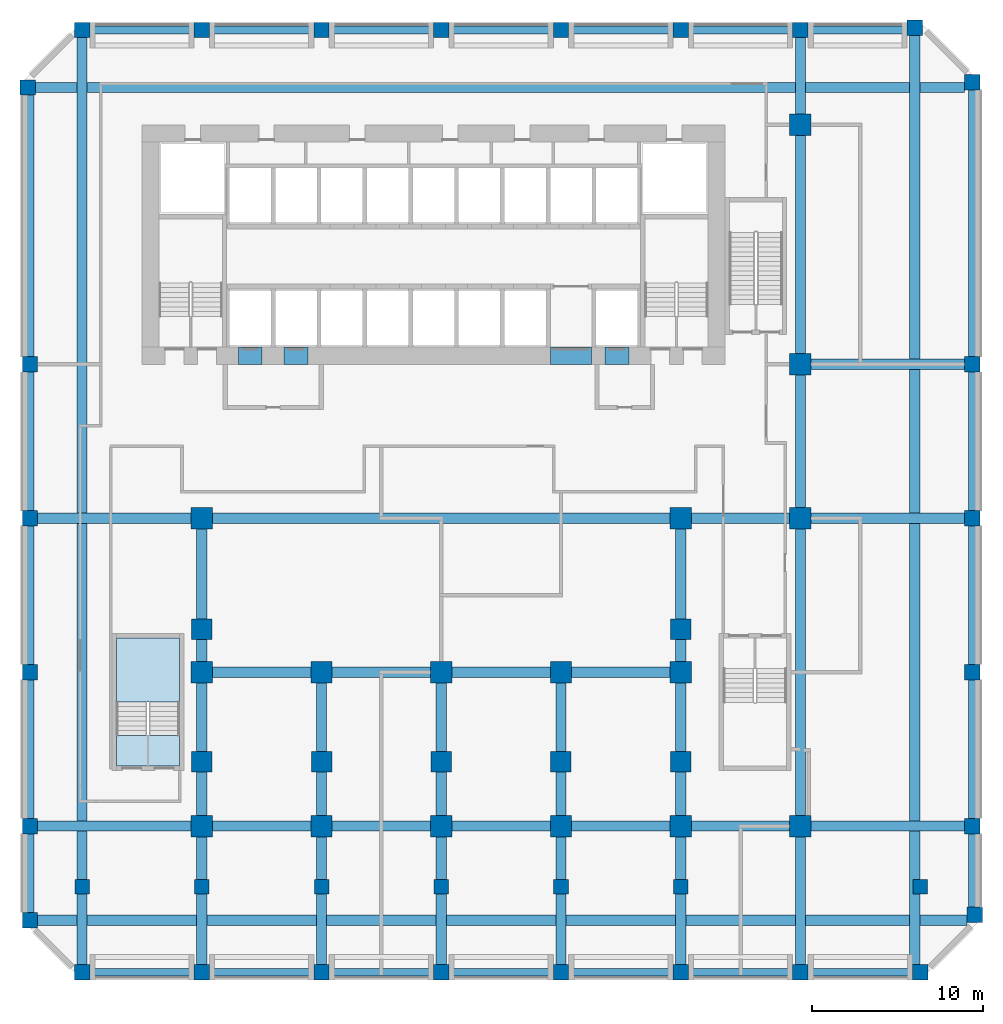
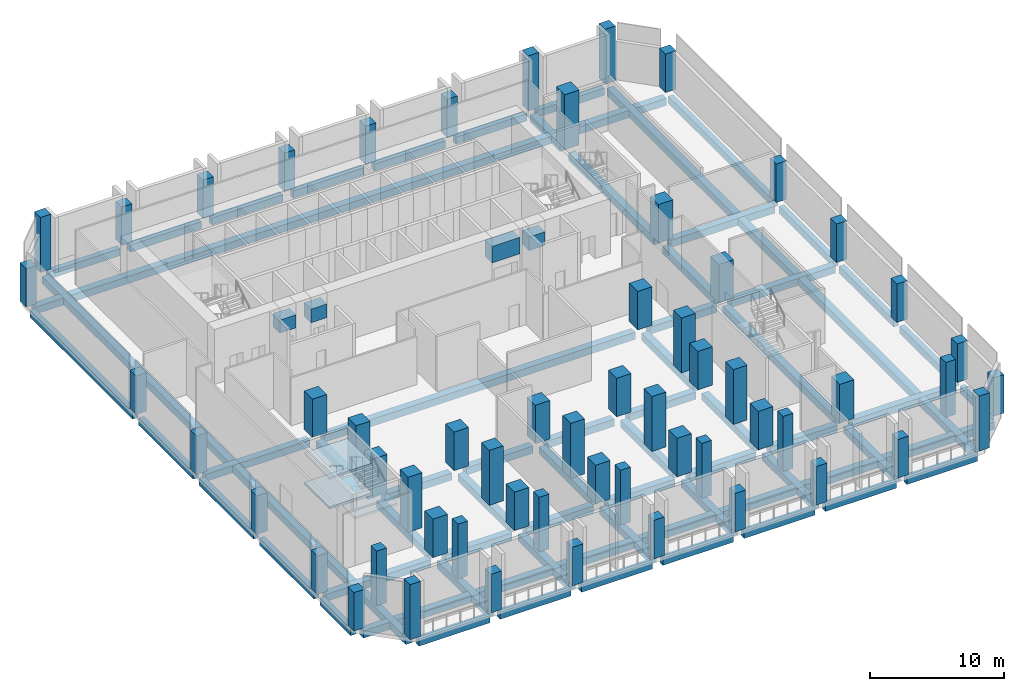
# One storey, part 1 of 10: 65 beams, 58 columns, 3 slabs, 1 element without a shape of its own.
"""IFC4 building model written with IfcOpenShell, lengths in metres."""

from ifc_helpers import new_model, si_unit, direction, frame, origin, origin_2d, place, context, subcontext, project, spatial, polyline, rectangle, outline, extrude, source, transform, mapped, material, layer, layer_set, material_profile, profile_set, type_object, element, aggregate, save


model = new_model("IFC4")

# Units and contexts
model_context = context("Model", 3, precision=1e-05, world=origin(), true_north=direction((0.0, 1.0)))
body_context = subcontext(model_context, "Body", "Model", "MODEL_VIEW")
ifc_project = project(units=[si_unit("LENGTHUNIT", "METRE"), si_unit("AREAUNIT", "SQUARE_METRE"), si_unit("VOLUMEUNIT", "CUBIC_METRE"), si_unit("PLANEANGLEUNIT", "RADIAN"), si_unit("MASSUNIT", "GRAM", prefix="KILO")], contexts=[model_context])

# Site, building, storey
site_placement = place(None, origin())
site = spatial("IfcSite", under=ifc_project, at=site_placement, CompositionType="ELEMENT")
building_placement = place(site_placement, origin())
building = spatial("IfcBuilding", under=site, at=building_placement, Name="Kilnfold Tower and Market Hall", CompositionType="ELEMENT")
storey_placement = place(building_placement, frame((0.0, 0.0, 95.199951171875)))
storey = spatial("IfcBuildingStorey", under=building, at=storey_placement, Name="L22 Refuge Transfer Level", CompositionType="ELEMENT", Elevation=95.199951171875)

# Columns
ifc_material_1 = material(Name="Concrete C80", Category="concrete")
ifc_material_profile_1 = material_profile(ifc_material_1, rectangle(XDim=0.89990234375, YDim=0.89990234375, at=origin_2d()), Name="RC 900x900")
ifc_profile_set_1 = profile_set([ifc_material_profile_1], Name="Concrete C80")
column_type_1 = type_object("IfcColumnType", Name="COLUMN 900X900 C80", PredefinedType="COLUMN", material=ifc_profile_set_1)
shared_shape_1 = source(origin(), body_context, "Body", "SweptSolid", [
    extrude(rectangle(XDim=0.89990234375, YDim=0.89990234375, at=origin_2d()), origin(), (0.0, 0.0, 1.0), 3.5),
])
for number, where, z_axis, x_axis, name in (
    (1, (-22.681884765625, 24.181884765625, 0.0), (0.0, 0.0, 1.0), (1.0, 0.0, 0.0), "Column C-B2-1H"),
    (2, (-22.550048828125, -24.5, 0.0), (0.0, 0.0, 1.0), (1.0, 0.0, 0.0), "Column C-B2-1B"),
    (3, (-22.550048828125, -19.0, 0.0), (0.0, 0.0, 1.0), (1.0, 0.0, 0.0), "Column C-B2-1C"),
    (4, (-22.550048828125, -10.0, 0.0), (0.0, 0.0, 1.0), (1.0, 0.0, 0.0), "Column C-B2-1D"),
    (5, (-22.550048828125, -1.0, 0.0), (0.0, 0.0, 1.0), (1.0, 0.0, 0.0), "Column C-B2-1E"),
    (6, (-22.550048828125, 8.0, 0.0), (0.0, 0.0, 1.0), (1.0, 0.0, 0.0), "Column C-B2-1F"),
    (7, (-12.5, -27.550048828125, 0.0), (0.0, 0.0, 1.0), (1.0, 0.0, 0.0), "Column C-B2-3A"),
    (8, (-12.5, 27.550048828125, 0.0), (0.0, 0.0, 1.0), (1.0, 0.0, 0.0), "Column C-B2-3I"),
    (9, (-5.5, -27.550048828125, 0.0), (0.0, 0.0, 1.0), (1.0, 0.0, 0.0), "Column C-B2-4A"),
    (10, (-5.5, 27.550048828125, 0.0), (0.0, 0.0, 1.0), (1.0, 0.0, 0.0), "Column C-B2-4I"),
    (11, (1.5, -27.550048828125, 0.0), (0.0, 0.0, 1.0), (1.0, 0.0, 0.0), "Column C-B2-5A"),
    (12, (1.5, 27.550048828125, 0.0), (0.0, 0.0, 1.0), (1.0, 0.0, 0.0), "Column C-B2-5I"),
    (13, (8.5, -27.550048828125, 0.0), (0.0, 0.0, 1.0), (1.0, 0.0, 0.0), "Column C-B2-6A"),
    (14, (8.5, 27.550048828125, 0.0), (0.0, 0.0, 1.0), (1.0, 0.0, 0.0), "Column C-B2-6I"),
    (15, (15.5, -27.550048828125, 0.0), (0.0, 0.0, 1.0), (1.0, 0.0, 0.0), "Column C-B2-7A"),
    (16, (15.5, 27.550048828125, 0.0), (0.0, 0.0, 1.0), (1.0, 0.0, 0.0), "Column C-B2-7I"),
    (17, (22.5, -27.550048828125, 0.0), (0.0, 0.0, 1.0), (1.0, 0.0, 0.0), "Column C-B2-8A"),
    (18, (32.550048828125, -19.0, 0.0), (0.0, 0.0, 1.0), (1.0, 0.0, 0.0), "Column C-B2-10C"),
    (19, (32.550048828125, -10.0, 0.0), (0.0, 0.0, 1.0), (1.0, 0.0, 0.0), "Column C-B2-10D"),
    (20, (32.550048828125, -1.0, 0.0), (0.0, 0.0, 1.0), (1.0, 0.0, 0.0), "Column C-B2-10E"),
    (21, (32.550048828125, 8.0, 0.0), (0.0, 0.0, 1.0), (1.0, 0.0, 0.0), "Column C-B2-10F"),
    (22, (32.550048828125, 24.5, 0.0), (0.0, 0.0, 1.0), (1.0, 0.0, 0.0), "Column C-B2-10H"),
    (23, (32.681884765625, -24.181884765625, 0.0), (0.0, 0.0, 1.0), (1.0, 0.0, 0.0), "Column C-B2-10B"),
):
    element("IfcColumn", number, at=place(storey_placement, frame(where, z_axis=z_axis, x_axis=x_axis)), inside=storey, type_object=column_type_1, Name=name, PredefinedType="COLUMN", context=body_context, shape_type="MappedRepresentation", body=[
        mapped(shared_shape_1, transform((0.0, 0.0, 0.0))),
    ])
shared_shape_2 = source(origin(), body_context, "Body", "SweptSolid", [
    extrude(rectangle(XDim=0.89990234375, YDim=0.89990234375, at=origin_2d()), origin(), (0.0, 0.0, 1.0), 5.0),
])
for number, where, z_axis, x_axis, name in (
    (24, (-19.5, -27.550048828125, 0.0), (0.0, 0.0, 1.0), (1.0, 0.0, 0.0), "Column C-B2-2A"),
    (25, (-19.5, 27.550048828125, 0.0), (0.0, 0.0, 1.0), (1.0, 0.0, 0.0), "Column C-B2-2I"),
    (26, (22.5, 27.550048828125, 0.0), (0.0, 0.0, 1.0), (1.0, 0.0, 0.0), "Column C-B2-8I"),
    (27, (29.181884765625, 27.681884765625, 0.0), (0.0, 0.0, 1.0), (1.0, 0.0, 0.0), "Column C-B2-9I"),
    (28, (29.5, -27.550048828125, 0.0), (0.0, 0.0, 1.0), (1.0, 0.0, 0.0), "Column C-B2-9A"),
):
    element("IfcColumn", number, at=place(storey_placement, frame(where, z_axis=z_axis, x_axis=x_axis)), inside=storey, type_object=column_type_1, Name=name, PredefinedType="COLUMN", context=body_context, shape_type="MappedRepresentation", body=[
        mapped(shared_shape_2, transform((0.0, 0.0, 0.0))),
    ])
ifc_material_2 = material(Name="Concrete C80", Category="concrete")
ifc_material_profile_2 = material_profile(ifc_material_2, rectangle(XDim=1.25, YDim=1.25, at=origin_2d()), Name="RC 1250x1250")
ifc_profile_set_2 = profile_set([ifc_material_profile_2], Name="Concrete C80")
column_type_2 = type_object("IfcColumnType", Name="COLUMN 1250X1250 C80", PredefinedType="COLUMN", material=ifc_profile_set_2)
shared_shape_3 = source(origin(), body_context, "Body", "SweptSolid", [
    extrude(rectangle(XDim=1.25, YDim=1.25, at=origin_2d()), origin(), (0.0, 0.0, 1.0), 3.5),
])
for number, where, z_axis, x_axis, name in (
    (29, (-12.5, -19.0, 0.0), (0.0, 0.0, 1.0), (1.0, 0.0, 0.0), "Column C-B2-3C"),
    (30, (-12.5, -10.0, 0.0), (0.0, 0.0, 1.0), (1.0, 0.0, 0.0), "Column C-B2-3D"),
    (31, (-12.5, -1.0, 0.0), (0.0, 0.0, 1.0), (1.0, 0.0, 0.0), "Column C-B2-3E"),
    (32, (-5.5, -19.0, 0.0), (0.0, 0.0, 1.0), (1.0, 0.0, 0.0), "Column C-B2-4C"),
    (33, (-5.5, -10.0, 0.0), (0.0, 0.0, 1.0), (1.0, 0.0, 0.0), "Column C-B2-4D"),
    (34, (1.5, -19.0, 0.0), (0.0, 0.0, 1.0), (1.0, 0.0, 0.0), "Column C-B2-5C"),
    (35, (1.5, -10.0, 0.0), (0.0, 0.0, 1.0), (1.0, 0.0, 0.0), "Column C-B2-5D"),
    (36, (8.5, -19.0, 0.0), (0.0, 0.0, 1.0), (1.0, 0.0, 0.0), "Column C-B2-6C"),
    (37, (8.5, -10.0, 0.0), (0.0, 0.0, 1.0), (1.0, 0.0, 0.0), "Column C-B2-6D"),
    (38, (15.5, -19.0, 0.0), (0.0, 0.0, 1.0), (1.0, 0.0, 0.0), "Column C-B2-7C"),
    (39, (15.5, -10.0, 0.0), (0.0, 0.0, 1.0), (1.0, 0.0, 0.0), "Column C-B2-7D"),
    (40, (15.5, -1.0, 0.0), (0.0, 0.0, 1.0), (1.0, 0.0, 0.0), "Column C-B2-7E"),
    (41, (22.5, -19.0, 0.0), (0.0, 0.0, 1.0), (1.0, 0.0, 0.0), "Column C-B2-8C"),
    (42, (22.5, -1.0, 0.0), (0.0, 0.0, 1.0), (1.0, 0.0, 0.0), "Column C-B2-8E"),
    (43, (22.5, 8.0, 0.0), (0.0, 0.0, 1.0), (1.0, 0.0, 0.0), "Column C-B2-8F"),
):
    element("IfcColumn", number, at=place(storey_placement, frame(where, z_axis=z_axis, x_axis=x_axis)), inside=storey, type_object=column_type_2, Name=name, PredefinedType="COLUMN", context=body_context, shape_type="MappedRepresentation", body=[
        mapped(shared_shape_3, transform((0.0, 0.0, 0.0))),
    ])
shared_shape_4 = source(origin(), body_context, "Body", "SweptSolid", [
    extrude(rectangle(XDim=1.25, YDim=1.25, at=origin_2d()), origin(), (0.0, 0.0, 1.0), 5.0),
])
column_placement = place(storey_placement, frame((22.5, 22.0, 0.0), z_axis=(0.0, 0.0, 1.0), x_axis=(1.0, 0.0, 0.0)))
element("IfcColumn", 44, at=column_placement, inside=storey, type_object=column_type_2, Name="Column C-B2-8G", PredefinedType="COLUMN", context=body_context, shape_type="MappedRepresentation", body=[
    mapped(shared_shape_4, transform((0.0, 0.0, 0.0))),
])
ifc_material_3 = material(Name="Concrete C80", Category="concrete")
ifc_material_profile_3 = material_profile(ifc_material_3, rectangle(XDim=0.85009765625, YDim=0.85009765625, at=origin_2d()), Name="RC 850x850")
ifc_profile_set_3 = profile_set([ifc_material_profile_3], Name="Concrete C80")
column_type_3 = type_object("IfcColumnType", Name="COLUMN 850X850 C80", PredefinedType="COLUMN", material=ifc_profile_set_3)
shared_shape_5 = source(origin(), body_context, "Body", "SweptSolid", [
    extrude(rectangle(XDim=0.85009765625, YDim=0.85009765625, at=origin_2d()), origin(), (0.0, 0.0, 1.0), 5.0),
])
for number, where, z_axis, x_axis, name in (
    (45, (-19.5, -22.550048828125, 0.0), (0.0, 0.0, 1.0), (1.0, 0.0, 0.0), "Column C-B3-2A"),
    (46, (-12.5, -22.550048828125, 0.0), (0.0, 0.0, 1.0), (1.0, 0.0, 0.0), "Column C-B3-3A"),
    (47, (-5.5, -22.550048828125, 0.0), (0.0, 0.0, 1.0), (1.0, 0.0, 0.0), "Column C-B3-4A"),
    (48, (1.5, -22.550048828125, 0.0), (0.0, 0.0, 1.0), (1.0, 0.0, 0.0), "Column C-B3-5A"),
    (49, (8.5, -22.550048828125, 0.0), (0.0, 0.0, 1.0), (1.0, 0.0, 0.0), "Column C-B3-6A"),
    (50, (15.5, -22.550048828125, 0.0), (0.0, 0.0, 1.0), (1.0, 0.0, 0.0), "Column C-B3-7A"),
    (51, (29.5, -22.550048828125, 0.0), (0.0, 0.0, 1.0), (1.0, 0.0, 0.0), "Column C-B3-9A"),
):
    element("IfcColumn", number, at=place(storey_placement, frame(where, z_axis=z_axis, x_axis=x_axis)), inside=storey, type_object=column_type_3, Name=name, PredefinedType="COLUMN", context=body_context, shape_type="MappedRepresentation", body=[
        mapped(shared_shape_5, transform((0.0, 0.0, 0.0))),
    ])
ifc_material_4 = material(Name="Concrete C80", Category="concrete")
ifc_material_profile_4 = material_profile(ifc_material_4, rectangle(XDim=1.199951171875, YDim=1.199951171875, at=origin_2d()), Name="RC 1200x1200")
ifc_profile_set_4 = profile_set([ifc_material_profile_4], Name="Concrete C80")
column_type_4 = type_object("IfcColumnType", Name="COLUMN 1200X1200 C80", PredefinedType="COLUMN", material=ifc_profile_set_4)
shared_shape_6 = source(origin(), body_context, "Body", "SweptSolid", [
    extrude(rectangle(XDim=1.199951171875, YDim=1.199951171875, at=origin_2d()), origin(), (0.0, 0.0, 1.0), 5.0),
])
for number, where, z_axis, x_axis, name in (
    (52, (-12.5, -15.25, 0.0), (0.0, 0.0, 1.0), (1.0, 0.0, 0.0), "Column C-B3-3C"),
    (53, (-12.5, -7.5, 0.0), (0.0, 0.0, 1.0), (1.0, 0.0, 0.0), "Column C-B3-3D"),
    (54, (-5.5, -15.25, 0.0), (0.0, 0.0, 1.0), (1.0, 0.0, 0.0), "Column C-B3-4C"),
    (55, (1.5, -15.25, 0.0), (0.0, 0.0, 1.0), (1.0, 0.0, 0.0), "Column C-B3-5C"),
    (56, (8.5, -15.25, 0.0), (0.0, 0.0, 1.0), (1.0, 0.0, 0.0), "Column C-B3-6C"),
    (57, (15.5, -15.25, 0.0), (0.0, 0.0, 1.0), (1.0, 0.0, 0.0), "Column C-B3-7C"),
    (58, (15.5, -7.5, 0.0), (0.0, 0.0, 1.0), (1.0, 0.0, 0.0), "Column C-B3-7D"),
):
    element("IfcColumn", number, at=place(storey_placement, frame(where, z_axis=z_axis, x_axis=x_axis)), inside=storey, type_object=column_type_4, Name=name, PredefinedType="COLUMN", context=body_context, shape_type="MappedRepresentation", body=[
        mapped(shared_shape_6, transform((0.0, 0.0, 0.0))),
    ])

# Beams
ifc_material_5 = material(Name="Concrete C80", Category="concrete")
ifc_material_profile_5 = material_profile(ifc_material_5, rectangle(XDim=1.0, YDim=1.199951171875, at=origin_2d()), Name="RC 1000x1200")
ifc_profile_set_5 = profile_set([ifc_material_profile_5], Name="Concrete C80")
beam_type_1 = type_object("IfcBeamType", Name="COUPLING BEAM 1000X1200 C80", PredefinedType="BEAM", material=ifc_profile_set_5)
shared_shape_7 = source(origin(), body_context, "Body", "SweptSolid", [
    extrude(rectangle(XDim=1.0, YDim=1.199951171875, at=origin_2d()), origin(), (0.0, 0.0, 1.0), 1.400146484375),
])
beam_1_placement = place(storey_placement, frame((-10.3701171875, 8.5, 3.300048828125), z_axis=(1.0, 0.0, 0.0), x_axis=(0.0, 1.0, 0.0)))
element("IfcBeam", 59, at=beam_1_placement, inside=storey, type_object=beam_type_1, Name="Coupling beam CB1200-80-CORE.40", PredefinedType="BEAM", context=body_context, shape_type="MappedRepresentation", body=[
    mapped(shared_shape_7, transform((0.0, 0.0, 0.0))),
])
ifc_material_6 = material(Name="Concrete C80", Category="concrete")
ifc_material_profile_6 = material_profile(ifc_material_6, rectangle(XDim=1.0, YDim=1.25, at=origin_2d()), Name="RC 1000x1250")
ifc_profile_set_6 = profile_set([ifc_material_profile_6], Name="Concrete C80")
beam_type_2 = type_object("IfcBeamType", Name="COUPLING BEAM 1000X1250 C80", PredefinedType="BEAM", material=ifc_profile_set_6)
shared_shape_8 = source(origin(), body_context, "Body", "SweptSolid", [
    extrude(rectangle(XDim=1.0, YDim=1.25, at=origin_2d()), origin(), (0.0, 0.0, 1.0), 1.39990234375),
])
for number, where, z_axis, x_axis, name in (
    (60, (-7.68994140625, 8.5, 3.324951171875), (1.0, 0.0, 0.0), (0.0, 1.0, 0.0), "Coupling beam CB1250-80-CORE.42"),
    (61, (11.070068359375, 8.5, 3.324951171875), (1.0, 0.0, 0.0), (0.0, 1.0, 0.0), "Coupling beam CB1250-80-CORE.46"),
):
    element("IfcBeam", number, at=place(storey_placement, frame(where, z_axis=z_axis, x_axis=x_axis)), inside=storey, type_object=beam_type_2, Name=name, PredefinedType="BEAM", context=body_context, shape_type="MappedRepresentation", body=[
        mapped(shared_shape_8, transform((0.0, 0.0, 0.0))),
    ])
ifc_material_7 = material(Name="Concrete C80", Category="concrete")
ifc_material_profile_7 = material_profile(ifc_material_7, rectangle(XDim=1.0, YDim=1.5, at=origin_2d()), Name="RC 1000x1500")
ifc_profile_set_7 = profile_set([ifc_material_profile_7], Name="Concrete C80")
beam_type_3 = type_object("IfcBeamType", Name="COUPLING BEAM 1000X1500 C80", PredefinedType="BEAM", material=ifc_profile_set_7)
shared_shape_9 = source(origin(), body_context, "Body", "SweptSolid", [
    extrude(rectangle(XDim=1.0, YDim=1.5, at=origin_2d()), origin(), (0.0, 0.0, 1.0), 2.400146484375),
])
beam_2_placement = place(storey_placement, frame((7.889892578125, 8.5, 3.449951171875), z_axis=(1.0, 0.0, 0.0), x_axis=(0.0, 1.0, 0.0)))
element("IfcBeam", 62, at=beam_2_placement, inside=storey, type_object=beam_type_3, Name="Coupling beam CB1500-80-CORE.44", PredefinedType="BEAM", context=body_context, shape_type="MappedRepresentation", body=[
    mapped(shared_shape_9, transform((0.0, 0.0, 0.0))),
])
ifc_material_8 = material(Name="Concrete C45", Category="concrete")
ifc_material_profile_8 = material_profile(ifc_material_8, rectangle(XDim=0.449951171875, YDim=0.64990234375, at=origin_2d()), Name="RC 450x650")
ifc_profile_set_8 = profile_set([ifc_material_profile_8], Name="Concrete C45")
beam_type_4 = type_object("IfcBeamType", Name="EDGE BEAM 450X650 C45", PredefinedType="BEAM", material=ifc_profile_set_8)
shared_shape_10 = source(origin(), body_context, "Body", "SweptSolid", [
    extrude(rectangle(XDim=0.449951171875, YDim=0.64990234375, at=origin_2d()), origin(), (0.0, 0.0, 1.0), 6.10009765625),
])
for number, where, z_axis, x_axis, name in (
    (63, (-19.050048828125, -27.550048828125, -0.724853515625), (1.0, 0.0, 0.0), (0.0, 1.0, 0.0), "Beam EB650-B2.60"),
    (64, (-12.050048828125, -27.550048828125, -0.724853515625), (1.0, 0.0, 0.0), (0.0, 1.0, 0.0), "Beam EB650-B2.61"),
    (65, (-5.050048828125, -27.550048828125, -0.724853515625), (1.0, 0.0, 0.0), (0.0, 1.0, 0.0), "Beam EB650-B2.62"),
    (66, (1.949951171875, -27.550048828125, -0.724853515625), (1.0, 0.0, 0.0), (0.0, 1.0, 0.0), "Beam EB650-B2.63"),
    (67, (8.949951171875, -27.550048828125, -0.724853515625), (1.0, 0.0, 0.0), (0.0, 1.0, 0.0), "Beam EB650-B2.64"),
    (68, (15.949951171875, -27.550048828125, -0.724853515625), (1.0, 0.0, 0.0), (0.0, 1.0, 0.0), "Beam EB650-B2.65"),
    (69, (22.949951171875, -27.550048828125, -0.724853515625), (1.0, 0.0, 0.0), (0.0, 1.0, 0.0), "Beam EB650-B2.66"),
    (70, (-19.050048828125, 27.550048828125, -0.724853515625), (1.0, 0.0, 0.0), (0.0, 1.0, 0.0), "Beam EB650-B2.75"),
    (71, (-12.050048828125, 27.550048828125, -0.724853515625), (1.0, 0.0, 0.0), (0.0, 1.0, 0.0), "Beam EB650-B2.76"),
    (72, (-5.050048828125, 27.550048828125, -0.724853515625), (1.0, 0.0, 0.0), (0.0, 1.0, 0.0), "Beam EB650-B2.77"),
    (73, (1.949951171875, 27.550048828125, -0.724853515625), (1.0, 0.0, 0.0), (0.0, 1.0, 0.0), "Beam EB650-B2.78"),
    (74, (8.949951171875, 27.550048828125, -0.724853515625), (1.0, 0.0, 0.0), (0.0, 1.0, 0.0), "Beam EB650-B2.79"),
    (75, (15.949951171875, 27.550048828125, -0.724853515625), (1.0, 0.0, 0.0), (0.0, 1.0, 0.0), "Beam EB650-B2.80"),
):
    element("IfcBeam", number, at=place(storey_placement, frame(where, z_axis=z_axis, x_axis=x_axis)), inside=storey, type_object=beam_type_4, Name=name, PredefinedType="BEAM", context=body_context, shape_type="MappedRepresentation", body=[
        mapped(shared_shape_10, transform((0.0, 0.0, 0.0))),
    ])
ifc_material_9 = material(Name="Concrete C45", Category="concrete")
ifc_material_profile_9 = material_profile(ifc_material_9, rectangle(XDim=0.60009765625, YDim=0.64990234375, at=origin_2d()), Name="RC 600x650")
ifc_profile_set_9 = profile_set([ifc_material_profile_9], Name="Concrete C45")
beam_type_5 = type_object("IfcBeamType", Name="BEAM 600X650 C45", PredefinedType="BEAM", material=ifc_profile_set_9)
shared_shape_11 = source(origin(), body_context, "Body", "SweptSolid", [
    extrude(rectangle(XDim=0.60009765625, YDim=0.64990234375, at=origin_2d()), origin(), (0.0, 0.0, 1.0), 54.331787109375),
])
for number, where, z_axis, x_axis, name in (
    (76, (-22.10009765625, -24.5, -0.724853515625), (1.0, 0.0, 0.0), (0.0, 1.0, 0.0), "Beam BB650-B2.67"),
    (77, (-22.231689453125, 24.179931640625, -0.724853515625), (1.0, 0.0, 0.0), (0.0, 1.0, 0.0), "Beam BB650-B2.74"),
    (78, (29.179931640625, -27.10009765625, -0.724853515625), (0.0, 1.0, 0.0), (-1.0, 0.0, 0.0), "Beam BB650-B2.98"),
):
    element("IfcBeam", number, at=place(storey_placement, frame(where, z_axis=z_axis, x_axis=x_axis)), inside=storey, type_object=beam_type_5, Name=name, PredefinedType="BEAM", context=body_context, shape_type="MappedRepresentation", body=[
        mapped(shared_shape_11, transform((0.0, 0.0, 0.0))),
    ])
shared_shape_12 = source(origin(), body_context, "Body", "SweptSolid", [
    extrude(rectangle(XDim=0.449951171875, YDim=0.64990234375, at=origin_2d()), origin(), (0.0, 0.0, 1.0), 5.78173828125),
])
beam_3_placement = place(storey_placement, frame((22.949951171875, 27.550048828125, -0.724853515625), z_axis=(1.0, 0.0, 0.0), x_axis=(0.0, 1.0, 0.0)))
element("IfcBeam", 79, at=beam_3_placement, inside=storey, type_object=beam_type_4, Name="Beam EB650-B2.81", PredefinedType="BEAM", context=body_context, shape_type="MappedRepresentation", body=[
    mapped(shared_shape_12, transform((0.0, 0.0, 0.0))),
])
shared_shape_13 = source(origin(), body_context, "Body", "SweptSolid", [
    extrude(rectangle(XDim=0.449951171875, YDim=0.64990234375, at=origin_2d()), origin(), (0.0, 0.0, 1.0), 4.60009765625),
])
beam_4_placement = place(storey_placement, frame((-22.550048828125, -24.050048828125, -0.724853515625), z_axis=(0.0, 1.0, 0.0), x_axis=(-1.0, 0.0, 0.0)))
element("IfcBeam", 80, at=beam_4_placement, inside=storey, type_object=beam_type_4, Name="Beam EB650-B2.37", PredefinedType="BEAM", context=body_context, shape_type="MappedRepresentation", body=[
    mapped(shared_shape_13, transform((0.0, 0.0, 0.0))),
])
shared_shape_14 = source(origin(), body_context, "Body", "SweptSolid", [
    extrude(rectangle(XDim=0.449951171875, YDim=0.64990234375, at=origin_2d()), origin(), (0.0, 0.0, 1.0), 8.10009765625),
])
for number, where, z_axis, x_axis, name in (
    (81, (-22.550048828125, -18.550048828125, -0.724853515625), (0.0, 1.0, 0.0), (-1.0, 0.0, 0.0), "Beam EB650-B2.38"),
    (82, (-22.550048828125, -9.550048828125, -0.724853515625), (0.0, 1.0, 0.0), (-1.0, 0.0, 0.0), "Beam EB650-B2.39"),
    (83, (-22.550048828125, -0.550048828125, -0.724853515625), (0.0, 1.0, 0.0), (-1.0, 0.0, 0.0), "Beam EB650-B2.40"),
    (84, (32.550048828125, -18.550048828125, -0.724853515625), (0.0, 1.0, 0.0), (-1.0, 0.0, 0.0), "Beam EB650-B2.100"),
    (85, (32.550048828125, -9.550048828125, -0.724853515625), (0.0, 1.0, 0.0), (-1.0, 0.0, 0.0), "Beam EB650-B2.101"),
    (86, (32.550048828125, -0.550048828125, -0.724853515625), (0.0, 1.0, 0.0), (-1.0, 0.0, 0.0), "Beam EB650-B2.102"),
):
    element("IfcBeam", number, at=place(storey_placement, frame(where, z_axis=z_axis, x_axis=x_axis)), inside=storey, type_object=beam_type_4, Name=name, PredefinedType="BEAM", context=body_context, shape_type="MappedRepresentation", body=[
        mapped(shared_shape_14, transform((0.0, 0.0, 0.0))),
    ])
shared_shape_15 = source(origin(), body_context, "Body", "SweptSolid", [
    extrude(rectangle(XDim=0.449951171875, YDim=0.64990234375, at=origin_2d()), origin(), (0.0, 0.0, 1.0), 15.28173828125),
])
beam_5_placement = place(storey_placement, frame((-22.550048828125, 8.449951171875, -0.724853515625), z_axis=(0.0, 1.0, 0.0), x_axis=(-1.0, 0.0, 0.0)))
element("IfcBeam", 87, at=beam_5_placement, inside=storey, type_object=beam_type_4, Name="Beam EB650-B2.41", PredefinedType="BEAM", context=body_context, shape_type="MappedRepresentation", body=[
    mapped(shared_shape_15, transform((0.0, 0.0, 0.0))),
])
shared_shape_16 = source(origin(), body_context, "Body", "SweptSolid", [
    extrude(rectangle(XDim=0.60009765625, YDim=0.64990234375, at=origin_2d()), origin(), (0.0, 0.0, 1.0), 54.2001953125),
])
beam_6_placement = place(storey_placement, frame((-19.5, -27.10009765625, -0.724853515625), z_axis=(0.0, 1.0, 0.0), x_axis=(-1.0, 0.0, 0.0)))
element("IfcBeam", 88, at=beam_6_placement, inside=storey, type_object=beam_type_5, Name="Beam BB650-B2.42", PredefinedType="BEAM", context=body_context, shape_type="MappedRepresentation", body=[
    mapped(shared_shape_16, transform((0.0, 0.0, 0.0))),
])
shared_shape_17 = source(origin(), body_context, "Body", "SweptSolid", [
    extrude(rectangle(XDim=0.449951171875, YDim=0.64990234375, at=origin_2d()), origin(), (0.0, 0.0, 1.0), 4.28173828125),
])
beam_7_placement = place(storey_placement, frame((32.550048828125, -23.731689453125, -0.724853515625), z_axis=(0.0, 1.0, 0.0), x_axis=(-1.0, 0.0, 0.0)))
element("IfcBeam", 89, at=beam_7_placement, inside=storey, type_object=beam_type_4, Name="Beam EB650-B2.99", PredefinedType="BEAM", context=body_context, shape_type="MappedRepresentation", body=[
    mapped(shared_shape_17, transform((0.0, 0.0, 0.0))),
])
shared_shape_18 = source(origin(), body_context, "Body", "SweptSolid", [
    extrude(rectangle(XDim=0.449951171875, YDim=0.64990234375, at=origin_2d()), origin(), (0.0, 0.0, 1.0), 15.60009765625),
])
beam_8_placement = place(storey_placement, frame((32.550048828125, 8.449951171875, -0.724853515625), z_axis=(0.0, 1.0, 0.0), x_axis=(-1.0, 0.0, 0.0)))
element("IfcBeam", 90, at=beam_8_placement, inside=storey, type_object=beam_type_4, Name="Beam EB650-B2.103", PredefinedType="BEAM", context=body_context, shape_type="MappedRepresentation", body=[
    mapped(shared_shape_18, transform((0.0, 0.0, 0.0))),
])
shared_shape_19 = source(origin(), body_context, "Body", "SweptSolid", [
    extrude(rectangle(XDim=0.60009765625, YDim=0.64990234375, at=origin_2d()), origin(), (0.0, 0.0, 1.0), 8.97509765625),
])
for number, where, z_axis, x_axis, name in (
    (91, (-22.10009765625, -19.0, -0.724853515625), (1.0, 0.0, 0.0), (0.0, 1.0, 0.0), "Beam BB650-B2.68"),
    (92, (23.125, -19.0, -0.724853515625), (1.0, 0.0, 0.0), (0.0, 1.0, 0.0), "Beam BB650-B2.69"),
    (93, (-22.10009765625, -1.0, -0.724853515625), (1.0, 0.0, 0.0), (0.0, 1.0, 0.0), "Beam BB650-B2.70"),
    (94, (23.125, -1.0, -0.724853515625), (1.0, 0.0, 0.0), (0.0, 1.0, 0.0), "Beam BB650-B2.72"),
    (95, (23.125, 8.0, -0.724853515625), (1.0, 0.0, 0.0), (0.0, 1.0, 0.0), "Beam BB650-B2.73"),
):
    element("IfcBeam", number, at=place(storey_placement, frame(where, z_axis=z_axis, x_axis=x_axis)), inside=storey, type_object=beam_type_5, Name=name, PredefinedType="BEAM", context=body_context, shape_type="MappedRepresentation", body=[
        mapped(shared_shape_19, transform((0.0, 0.0, 0.0))),
    ])
shared_shape_20 = source(origin(), body_context, "Body", "SweptSolid", [
    extrude(rectangle(XDim=0.60009765625, YDim=0.64990234375, at=origin_2d()), origin(), (0.0, 0.0, 1.0), 26.75),
])
beam_9_placement = place(storey_placement, frame((-11.875, -1.0, -0.724853515625), z_axis=(1.0, 0.0, 0.0), x_axis=(0.0, 1.0, 0.0)))
element("IfcBeam", 96, at=beam_9_placement, inside=storey, type_object=beam_type_5, Name="Beam BB650-B2.71", PredefinedType="BEAM", context=body_context, shape_type="MappedRepresentation", body=[
    mapped(shared_shape_20, transform((0.0, 0.0, 0.0))),
])
shared_shape_21 = source(origin(), body_context, "Body", "SweptSolid", [
    extrude(rectangle(XDim=0.60009765625, YDim=0.64990234375, at=origin_2d()), origin(), (0.0, 0.0, 1.0), 7.47509765625),
])
for number, where, z_axis, x_axis, name in (
    (97, (-12.5, -27.10009765625, -0.724853515625), (0.0, 1.0, 0.0), (-1.0, 0.0, 0.0), "Beam BB650-B2.82"),
    (98, (-5.5, -27.10009765625, -0.724853515625), (0.0, 1.0, 0.0), (-1.0, 0.0, 0.0), "Beam BB650-B2.85"),
    (99, (1.5, -27.10009765625, -0.724853515625), (0.0, 1.0, 0.0), (-1.0, 0.0, 0.0), "Beam BB650-B2.87"),
    (100, (8.5, -27.10009765625, -0.724853515625), (0.0, 1.0, 0.0), (-1.0, 0.0, 0.0), "Beam BB650-B2.89"),
    (101, (15.5, -27.10009765625, -0.724853515625), (0.0, 1.0, 0.0), (-1.0, 0.0, 0.0), "Beam BB650-B2.91"),
    (102, (22.5, -27.10009765625, -0.724853515625), (0.0, 1.0, 0.0), (-1.0, 0.0, 0.0), "Beam BB650-B2.94"),
):
    element("IfcBeam", number, at=place(storey_placement, frame(where, z_axis=z_axis, x_axis=x_axis)), inside=storey, type_object=beam_type_5, Name=name, PredefinedType="BEAM", context=body_context, shape_type="MappedRepresentation", body=[
        mapped(shared_shape_21, transform((0.0, 0.0, 0.0))),
    ])
shared_shape_22 = source(origin(), body_context, "Body", "SweptSolid", [
    extrude(rectangle(XDim=0.60009765625, YDim=0.64990234375, at=origin_2d()), origin(), (0.0, 0.0, 1.0), 7.75),
])
for number, where, z_axis, x_axis, name in (
    (103, (-12.5, -18.375, -0.724853515625), (0.0, 1.0, 0.0), (-1.0, 0.0, 0.0), "Beam BB650-B2.83"),
    (104, (-12.5, -9.375, -0.724853515625), (0.0, 1.0, 0.0), (-1.0, 0.0, 0.0), "Beam BB650-B2.84"),
    (105, (-5.5, -18.375, -0.724853515625), (0.0, 1.0, 0.0), (-1.0, 0.0, 0.0), "Beam BB650-B2.86"),
    (106, (1.5, -18.375, -0.724853515625), (0.0, 1.0, 0.0), (-1.0, 0.0, 0.0), "Beam BB650-B2.88"),
    (107, (8.5, -18.375, -0.724853515625), (0.0, 1.0, 0.0), (-1.0, 0.0, 0.0), "Beam BB650-B2.90"),
    (108, (15.5, -18.375, -0.724853515625), (0.0, 1.0, 0.0), (-1.0, 0.0, 0.0), "Beam BB650-B2.92"),
    (109, (15.5, -9.375, -0.724853515625), (0.0, 1.0, 0.0), (-1.0, 0.0, 0.0), "Beam BB650-B2.93"),
    (110, (22.5, -0.375, -0.724853515625), (0.0, 1.0, 0.0), (-1.0, 0.0, 0.0), "Beam BB650-B2.96"),
):
    element("IfcBeam", number, at=place(storey_placement, frame(where, z_axis=z_axis, x_axis=x_axis)), inside=storey, type_object=beam_type_5, Name=name, PredefinedType="BEAM", context=body_context, shape_type="MappedRepresentation", body=[
        mapped(shared_shape_22, transform((0.0, 0.0, 0.0))),
    ])
shared_shape_23 = source(origin(), body_context, "Body", "SweptSolid", [
    extrude(rectangle(XDim=0.60009765625, YDim=0.64990234375, at=origin_2d()), origin(), (0.0, 0.0, 1.0), 16.75),
])
beam_10_placement = place(storey_placement, frame((22.5, -18.375, -0.724853515625), z_axis=(0.0, 1.0, 0.0), x_axis=(-1.0, 0.0, 0.0)))
element("IfcBeam", 111, at=beam_10_placement, inside=storey, type_object=beam_type_5, Name="Beam BB650-B2.95", PredefinedType="BEAM", context=body_context, shape_type="MappedRepresentation", body=[
    mapped(shared_shape_23, transform((0.0, 0.0, 0.0))),
])
shared_shape_24 = source(origin(), body_context, "Body", "SweptSolid", [
    extrude(rectangle(XDim=0.60009765625, YDim=0.64990234375, at=origin_2d()), origin(), (0.0, 0.0, 1.0), 12.75),
])
beam_11_placement = place(storey_placement, frame((22.5, 8.625, -0.724853515625), z_axis=(0.0, 1.0, 0.0), x_axis=(-1.0, 0.0, 0.0)))
element("IfcBeam", 112, at=beam_11_placement, inside=storey, type_object=beam_type_5, Name="Beam BB650-B2.97", PredefinedType="BEAM", context=body_context, shape_type="MappedRepresentation", body=[
    mapped(shared_shape_24, transform((0.0, 0.0, 0.0))),
])
shared_shape_25 = source(origin(), body_context, "Body", "SweptSolid", [
    extrude(rectangle(XDim=0.60009765625, YDim=0.64990234375, at=origin_2d()), origin(), (0.0, 0.0, 1.0), 5.75),
])
for number, where, z_axis, x_axis, name in (
    (113, (-11.875, -19.0, -0.724853515625), (1.0, 0.0, 0.0), (0.0, 1.0, 0.0), "Beam BB650-B2.104"),
    (114, (-4.875, -19.0, -0.724853515625), (1.0, 0.0, 0.0), (0.0, 1.0, 0.0), "Beam BB650-B2.105"),
    (115, (2.125, -19.0, -0.724853515625), (1.0, 0.0, 0.0), (0.0, 1.0, 0.0), "Beam BB650-B2.106"),
    (116, (9.125, -19.0, -0.724853515625), (1.0, 0.0, 0.0), (0.0, 1.0, 0.0), "Beam BB650-B2.107"),
    (117, (16.125, -19.0, -0.724853515625), (1.0, 0.0, 0.0), (0.0, 1.0, 0.0), "Beam BB650-B2.108"),
    (118, (-11.875, -10.0, -0.724853515625), (1.0, 0.0, 0.0), (0.0, 1.0, 0.0), "Beam BB650-B2.109"),
    (119, (-4.875, -10.0, -0.724853515625), (1.0, 0.0, 0.0), (0.0, 1.0, 0.0), "Beam BB650-B2.110"),
    (120, (2.125, -10.0, -0.724853515625), (1.0, 0.0, 0.0), (0.0, 1.0, 0.0), "Beam BB650-B2.111"),
    (121, (9.125, -10.0, -0.724853515625), (1.0, 0.0, 0.0), (0.0, 1.0, 0.0), "Beam BB650-B2.112"),
    (122, (16.125, -1.0, -0.724853515625), (1.0, 0.0, 0.0), (0.0, 1.0, 0.0), "Beam BB650-B2.113"),
):
    element("IfcBeam", number, at=place(storey_placement, frame(where, z_axis=z_axis, x_axis=x_axis)), inside=storey, type_object=beam_type_5, Name=name, PredefinedType="BEAM", context=body_context, shape_type="MappedRepresentation", body=[
        mapped(shared_shape_25, transform((0.0, 0.0, 0.0))),
    ])
shared_shape_26 = source(origin(), body_context, "Body", "SweptSolid", [
    extrude(rectangle(XDim=0.60009765625, YDim=0.64990234375, at=origin_2d()), origin(), (0.0, 0.0, 1.0), 4.47509765625),
])
beam_12_placement = place(storey_placement, frame((22.5, 22.625, -0.724853515625), z_axis=(0.0, 1.0, 0.0), x_axis=(-1.0, 0.0, 0.0)))
element("IfcBeam", 123, at=beam_12_placement, inside=storey, type_object=beam_type_5, Name="Beam BB650-B2.114", PredefinedType="BEAM", context=body_context, shape_type="MappedRepresentation", body=[
    mapped(shared_shape_26, transform((0.0, 0.0, 0.0))),
])

# Stair, slabs
ifc_material_10 = material(Name="Concrete C40/50", Category="concrete")
stair_type = type_object("IfcStairType", Name="CORE STAIR 1800", PredefinedType="HALF_TURN_STAIR", material=ifc_material_10)
stair_placement = place(storey_placement, origin())
stair = element("IfcStair", 124, at=stair_placement, inside=storey, type_object=stair_type, Name="L22 Refuge Transfer Level ST3", PredefinedType="HALF_TURN_STAIR")
ifc_material_11 = material(Name="Concrete C40/50", Category="concrete")
ifc_layer = layer(ifc_material_11, 0.199951171875)
ifc_layer_set = layer_set([ifc_layer], Name="Concrete C40/50")
slab_type = type_object("IfcSlabType", Name="CORE STAIR LANDING 200", PredefinedType="LANDING", material=ifc_layer_set)
shared_shape_27 = source(origin(), body_context, "Body", "SweptSolid", [
    extrude(outline(polyline([(-13.800048828125, -15.5), (-13.800048828125, -13.699951171875), (-17.5, -13.699951171875), (-17.5, -15.5), (-13.800048828125, -15.5)])), origin(), (0.0, 0.0, 1.0), 0.199951171875),
])
slab_1_placement = place(storey_placement, frame((0.0, 0.0, 2.5)))
slab_1 = element("IfcSlab", 125, at=slab_1_placement, type_object=slab_type, Name="ST3 landing 2", PredefinedType="LANDING", context=body_context, shape_type="MappedRepresentation", body=[
    mapped(shared_shape_27, transform((0.0, 0.0, 0.0))),
])
shared_shape_28 = source(origin(), body_context, "Body", "SweptSolid", [
    extrude(outline(polyline([(-13.800048828125, -11.739990234375), (-13.800048828125, -8.0), (-17.5, -8.0), (-17.5, -11.739990234375), (-13.800048828125, -11.739990234375)])), origin(), (0.0, 0.0, 1.0), 0.199951171875),
])
slab_2_placement = place(storey_placement, frame((0.0, 0.0, 1.150146484375)))
slab_2 = element("IfcSlab", 126, at=slab_2_placement, type_object=slab_type, Name="ST3 landing 1", PredefinedType="LANDING", context=body_context, shape_type="MappedRepresentation", body=[
    mapped(shared_shape_28, transform((0.0, 0.0, 0.0))),
])
slab_3_placement = place(storey_placement, frame((0.0, 0.0, 3.85009765625)))
slab_3 = element("IfcSlab", 127, at=slab_3_placement, type_object=slab_type, Name="ST3 landing 3", PredefinedType="LANDING", context=body_context, shape_type="MappedRepresentation", body=[
    mapped(shared_shape_28, transform((0.0, 0.0, 0.0))),
])
aggregate(stair, [slab_2, slab_1, slab_3])

save(model, "model.ifc")
